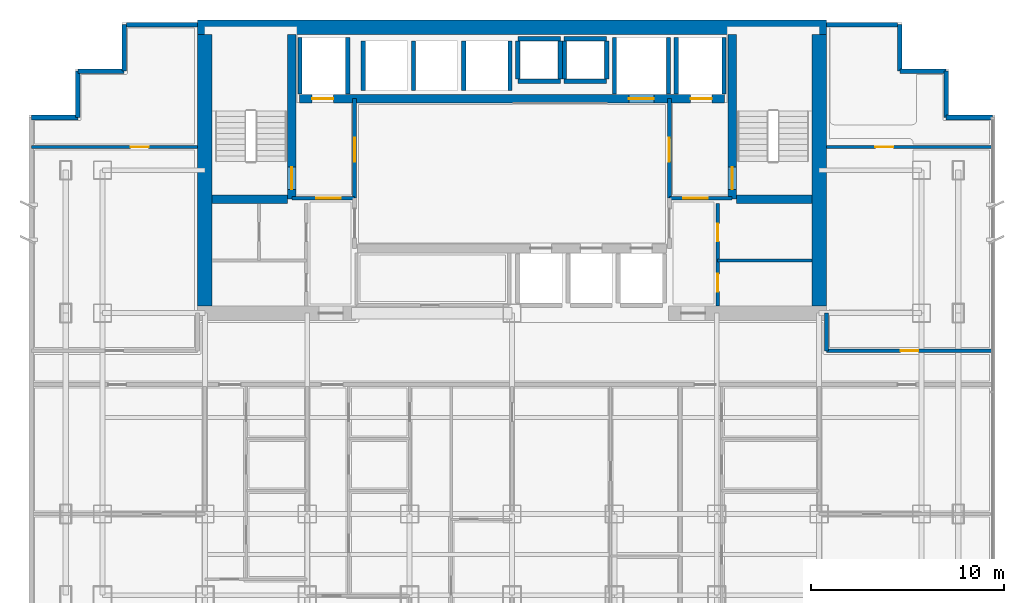
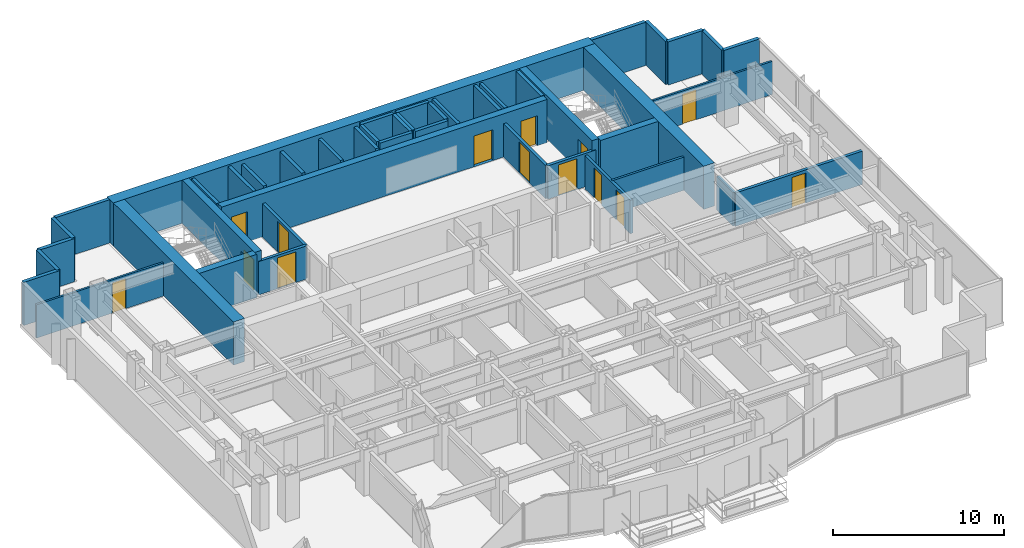
# One storey, part 9 of 12: 46 walls, 14 doors, 14 openings.
"""IFC4 building model written with IfcOpenShell, lengths in metres."""

from ifc_helpers import new_model, si_unit, direction, frame, frame_2d, origin, place, context, subcontext, project, spatial, rectangle, extrude, material, layer, layer_set, type_object, element, fill, save


model = new_model("IFC4")

# Units and contexts
model_context = context("Model", 3, precision=1e-05, world=origin(), true_north=direction((0.0, 1.0)))
body_context = subcontext(model_context, "Body", "Model", "MODEL_VIEW")
ifc_project = project(units=[si_unit("LENGTHUNIT", "METRE"), si_unit("AREAUNIT", "SQUARE_METRE"), si_unit("VOLUMEUNIT", "CUBIC_METRE"), si_unit("PLANEANGLEUNIT", "RADIAN"), si_unit("MASSUNIT", "GRAM", prefix="KILO")], contexts=[model_context])

# Site, building, storey
site_placement = place(None, origin())
site = spatial("IfcSite", under=ifc_project, at=site_placement, CompositionType="ELEMENT")
building_placement = place(site_placement, origin())
building = spatial("IfcBuilding", under=site, at=building_placement, Name="Qianlan Lanfeng Residences", CompositionType="ELEMENT")
storey_placement = place(building_placement, frame((0.0, 0.0, 121.300048828125)))
storey = spatial("IfcBuildingStorey", under=building, at=storey_placement, Name="L33", CompositionType="ELEMENT", Elevation=121.300048828125)

# Wall, opening, door
ifc_material_1 = material(Name="Concrete C60", Category="concrete")
ifc_layer_1 = layer(ifc_material_1, 0.449951171875)
ifc_layer_set_1 = layer_set([ifc_layer_1], Name="Concrete C60")
wall_type_1 = type_object("IfcWallType", Name="CW-RC-450", PredefinedType="SHEAR", material=ifc_layer_set_1)
wall_1_placement = place(storey_placement, frame((15.10009765625, 31.10009765625, 0.0), z_axis=(0.0, 0.0, 1.0), x_axis=(0.0, 1.0, 0.0)))
wall_1 = element("IfcWall", 1, at=wall_1_placement, inside=storey, type_object=wall_type_1, Name="L33 Core Shear Wall ST1E", PredefinedType="SHEAR", context=body_context, shape_type="SweptSolid", body=[
    extrude(rectangle(XDim=8.52490234375, YDim=0.449951171875, at=frame_2d((4.262451171875, 0.0))), origin(), (0.0, 0.0, 1.0), 3.08984375),
])
opening_1_placement = place(wall_1_placement, frame((0.510009765625, 0.0, 0.0)))
opening_1 = element("IfcOpeningElement", 2, at=opening_1_placement, cuts=wall_1, Name="Opening L33-D07", PredefinedType="OPENING", context=body_context, shape_type="SweptSolid", body=[
    extrude(rectangle(XDim=1.14990234375, YDim=2.199951171875, at=frame_2d((0.574951171875, 1.10009765625))), frame((0.0, 0.23486328125, 0.0), z_axis=(0.0, -1.0, 0.0), x_axis=(1.0, 0.0, 0.0)), (0.0, 0.0, 1.0), 0.469970703125),
])
ifc_material_2 = material(Name="Painted Galvanised Steel Fire Door", Category="steel")
door_type_1 = type_object("IfcDoorType", Name="DT-ST1", OperationType="NOTDEFINED", PredefinedType="DOOR", material=ifc_material_2)
door_1_placement = place(opening_1_placement, frame((1.14990234375, 0.0, 0.0), z_axis=(0.0, 0.0, 1.0), x_axis=(-1.0, 0.0, 0.0)))
door_1 = element("IfcDoor", 3, at=door_1_placement, inside=storey, type_object=door_type_1, Name="L33 Exit Stair ST-1 Door L33-D07 (DT-ST1)", OperationType="SINGLE_SWING_RIGHT", OverallHeight=2.199951171875, OverallWidth=1.14990234375, PredefinedType="DOOR", context=body_context, shape_type="SweptSolid", body=[
    extrude(rectangle(XDim=1.14990234375, YDim=2.199951171875, at=frame_2d((0.574951171875, 1.10009765625))), frame((0.0, 0.02490234375, 0.0), z_axis=(0.0, -1.0, 0.0), x_axis=(1.0, 0.0, 0.0)), (0.0, 0.0, 1.0), 0.050048828125),
])
fill(opening_1, door_1)

# Wall
wall_2_placement = place(storey_placement, frame((10.97509765625, 31.10009765625, 0.0), z_axis=(0.0, 0.0, 1.0), x_axis=(1.0, 0.0, 0.0)))
element("IfcWall", 4, at=wall_2_placement, inside=storey, type_object=wall_type_1, Name="L33 Core Shear Wall ST1S", PredefinedType="SHEAR", context=body_context, shape_type="SweptSolid", body=[
    extrude(rectangle(XDim=3.89990234375, YDim=0.449951171875, at=frame_2d((1.949951171875, 0.0))), origin(), (0.0, 0.0, 1.0), 3.08984375),
])

# Wall, opening, door
wall_3_placement = place(storey_placement, frame((37.89990234375, 31.10009765625, 0.0), z_axis=(0.0, 0.0, 1.0), x_axis=(0.0, 1.0, 0.0)))
wall_3 = element("IfcWall", 5, at=wall_3_placement, inside=storey, type_object=wall_type_1, Name="L33 Core Shear Wall ST2W", PredefinedType="SHEAR", context=body_context, shape_type="SweptSolid", body=[
    extrude(rectangle(XDim=8.52490234375, YDim=0.449951171875, at=frame_2d((4.262451171875, 0.0))), origin(), (0.0, 0.0, 1.0), 3.08984375),
])
opening_2_placement = place(wall_3_placement, frame((0.510009765625, 0.0, 0.0)))
opening_2 = element("IfcOpeningElement", 6, at=opening_2_placement, cuts=wall_3, Name="Opening L33-D08", PredefinedType="OPENING", context=body_context, shape_type="SweptSolid", body=[
    extrude(rectangle(XDim=1.14990234375, YDim=2.199951171875, at=frame_2d((0.574951171875, 1.10009765625))), frame((0.0, 0.23486328125, 0.0), z_axis=(0.0, -1.0, 0.0), x_axis=(1.0, 0.0, 0.0)), (0.0, 0.0, 1.0), 0.469970703125),
])
door_2_placement = place(opening_2_placement, origin())
door_2 = element("IfcDoor", 7, at=door_2_placement, inside=storey, type_object=door_type_1, Name="L33 Exit Stair ST-2 Door L33-D08 (DT-ST1)", OperationType="SINGLE_SWING_RIGHT", OverallHeight=2.199951171875, OverallWidth=1.14990234375, PredefinedType="DOOR", context=body_context, shape_type="SweptSolid", body=[
    extrude(rectangle(XDim=1.14990234375, YDim=2.199951171875, at=frame_2d((0.574951171875, 1.10009765625))), frame((0.0, 0.02490234375, 0.0), z_axis=(0.0, -1.0, 0.0), x_axis=(1.0, 0.0, 0.0)), (0.0, 0.0, 1.0), 0.050048828125),
])
fill(opening_2, door_2)

# Wall
wall_4_placement = place(storey_placement, frame((38.125, 31.10009765625, 0.0), z_axis=(0.0, 0.0, 1.0), x_axis=(1.0, 0.0, 0.0)))
element("IfcWall", 8, at=wall_4_placement, inside=storey, type_object=wall_type_1, Name="L33 Core Shear Wall ST2S", PredefinedType="SHEAR", context=body_context, shape_type="SweptSolid", body=[
    extrude(rectangle(XDim=3.89990234375, YDim=0.449951171875, at=frame_2d((1.949951171875, 0.0))), origin(), (0.0, 0.0, 1.0), 3.08984375),
])

# Wall, openings, doors
wall_5_placement = place(storey_placement, frame((15.5, 36.300048828125, 0.0), z_axis=(0.0, 0.0, 1.0), x_axis=(1.0, 0.0, 0.0)))
wall_5 = element("IfcWall", 9, at=wall_5_placement, inside=storey, type_object=wall_type_1, Name="L33 Core Shear Wall LBN", PredefinedType="SHEAR", context=body_context, shape_type="SweptSolid", body=[
    extrude(rectangle(XDim=22.0, YDim=0.449951171875, at=frame_2d((11.0, 0.0))), origin(), (0.0, 0.0, 1.0), 3.08984375),
])
opening_3_placement = place(wall_5_placement, frame((0.64990234375, 0.0, 0.0)))
opening_3 = element("IfcOpeningElement", 10, at=opening_3_placement, cuts=wall_5, Name="Opening L33-LD-FFL-1", PredefinedType="OPENING", context=body_context, shape_type="SweptSolid", body=[
    extrude(rectangle(XDim=1.10009765625, YDim=2.14990234375, at=frame_2d((0.550048828125, 1.074951171875))), frame((0.0, 0.23486328125, 0.0), z_axis=(0.0, -1.0, 0.0), x_axis=(1.0, 0.0, 0.0)), (0.0, 0.0, 1.0), 0.469970703125),
])
opening_4_placement = place(wall_5_placement, frame((20.25, 0.0, 0.0)))
opening_4 = element("IfcOpeningElement", 11, at=opening_4_placement, cuts=wall_5, Name="Opening L33-LD-FFL-2", PredefinedType="OPENING", context=body_context, shape_type="SweptSolid", body=[
    extrude(rectangle(XDim=1.10009765625, YDim=2.14990234375, at=frame_2d((0.550048828125, 1.074951171875))), frame((0.0, 0.23486328125, 0.0), z_axis=(0.0, -1.0, 0.0), x_axis=(1.0, 0.0, 0.0)), (0.0, 0.0, 1.0), 0.469970703125),
])
opening_5_placement = place(wall_5_placement, frame((17.050048828125, 0.0, 0.0)))
opening_5 = element("IfcOpeningElement", 12, at=opening_5_placement, cuts=wall_5, Name="Opening L33-LD-SVL-1", PredefinedType="OPENING", context=body_context, shape_type="SweptSolid", body=[
    extrude(rectangle(XDim=1.300048828125, YDim=2.199951171875, at=frame_2d((0.64990234375, 1.10009765625))), frame((0.0, 0.23486328125, 0.0), z_axis=(0.0, -1.0, 0.0), x_axis=(1.0, 0.0, 0.0)), (0.0, 0.0, 1.0), 0.469970703125),
])
ifc_material_3 = material(Name="Brushed Stainless Steel Sliding Lift Door", Category="steel")
door_type_2 = type_object("IfcDoorType", Name="LD-01", OperationType="NOTDEFINED", PredefinedType="DOOR", material=ifc_material_3)
door_3_placement = place(opening_3_placement, frame((1.10009765625, 0.0, 0.0), z_axis=(0.0, 0.0, 1.0), x_axis=(-1.0, 0.0, 0.0)))
door_3 = element("IfcDoor", 13, at=door_3_placement, inside=storey, type_object=door_type_2, Name="L33 Elevator FFL-1 Sliding Landing Door", OperationType="DOUBLE_DOOR_SLIDING", OverallHeight=2.14990234375, OverallWidth=1.10009765625, PredefinedType="DOOR", context=body_context, shape_type="SweptSolid", body=[
    extrude(rectangle(XDim=1.10009765625, YDim=2.14990234375, at=frame_2d((0.550048828125, 1.074951171875))), frame((0.0, 0.02490234375, 0.0), z_axis=(0.0, -1.0, 0.0), x_axis=(1.0, 0.0, 0.0)), (0.0, 0.0, 1.0), 0.050048828125),
])
fill(opening_3, door_3)
door_4_placement = place(opening_4_placement, frame((1.10009765625, 0.0, 0.0), z_axis=(0.0, 0.0, 1.0), x_axis=(-1.0, 0.0, 0.0)))
door_4 = element("IfcDoor", 14, at=door_4_placement, inside=storey, type_object=door_type_2, Name="L33 Elevator FFL-2 Sliding Landing Door", OperationType="DOUBLE_DOOR_SLIDING", OverallHeight=2.14990234375, OverallWidth=1.10009765625, PredefinedType="DOOR", context=body_context, shape_type="SweptSolid", body=[
    extrude(rectangle(XDim=1.10009765625, YDim=2.14990234375, at=frame_2d((0.550048828125, 1.074951171875))), frame((0.0, 0.02490234375, 0.0), z_axis=(0.0, -1.0, 0.0), x_axis=(1.0, 0.0, 0.0)), (0.0, 0.0, 1.0), 0.050048828125),
])
fill(opening_4, door_4)
door_type_3 = type_object("IfcDoorType", Name="LD-02", OperationType="NOTDEFINED", PredefinedType="DOOR", material=ifc_material_3)
door_5_placement = place(opening_5_placement, frame((1.300048828125, 0.0, 0.0), z_axis=(0.0, 0.0, 1.0), x_axis=(-1.0, 0.0, 0.0)))
door_5 = element("IfcDoor", 15, at=door_5_placement, inside=storey, type_object=door_type_3, Name="L33 Elevator SVL-1 Sliding Landing Door", OperationType="DOUBLE_DOOR_SLIDING", OverallHeight=2.199951171875, OverallWidth=1.300048828125, PredefinedType="DOOR", context=body_context, shape_type="SweptSolid", body=[
    extrude(rectangle(XDim=1.300048828125, YDim=2.199951171875, at=frame_2d((0.64990234375, 1.10009765625))), frame((0.0, 0.02490234375, 0.0), z_axis=(0.0, -1.0, 0.0), x_axis=(1.0, 0.0, 0.0)), (0.0, 0.0, 1.0), 0.050048828125),
])
fill(opening_5, door_5)

# Walls
ifc_layer_2 = layer(ifc_material_1, 0.75)
ifc_layer_set_2 = layer_set([ifc_layer_2], Name="Concrete C60")
wall_type_2 = type_object("IfcWallType", Name="CW-RC-750", PredefinedType="SHEAR", material=ifc_layer_set_2)
wall_6_placement = place(storey_placement, frame((10.22509765625, 40.0, 0.0), z_axis=(0.0, 0.0, 1.0), x_axis=(1.0, 0.0, 0.0)))
element("IfcWall", 16, at=wall_6_placement, inside=storey, type_object=wall_type_2, Name="L33 Core Shear Wall N", PredefinedType="SHEAR", context=body_context, shape_type="SweptSolid", body=[
    extrude(rectangle(XDim=32.5498046875, YDim=0.75, at=frame_2d((16.27490234375, 0.0))), origin(), (0.0, 0.0, 1.0), 3.08984375),
])
for number, where, z_axis, x_axis, name in (
    (17, (10.60009765625, 25.574951171875, 0.0), (0.0, 0.0, 1.0), (0.0, 1.0, 0.0), "L33 Core Shear Wall W"),
    (18, (42.39990234375, 25.574951171875, 0.0), (0.0, 0.0, 1.0), (0.0, 1.0, 0.0), "L33 Core Shear Wall E"),
):
    element("IfcWall", number, at=place(storey_placement, frame(where, z_axis=z_axis, x_axis=x_axis)), inside=storey, type_object=wall_type_2, Name=name, PredefinedType="SHEAR", context=body_context, shape_type="SweptSolid", body=[
        extrude(rectangle(XDim=14.050048828125, YDim=0.75, at=frame_2d((7.02490234375, 0.0))), origin(), (0.0, 0.0, 1.0), 3.08984375),
    ])
ifc_material_4 = material(Name="Concrete C42", Category="concrete")
ifc_layer_3 = layer(ifc_material_4, 0.239990234375)
ifc_layer_set_3 = layer_set([ifc_layer_3], Name="Concrete C42")
wall_type_3 = type_object("IfcWallType", Name="EW-240", PredefinedType="SOLIDWALL", material=ifc_layer_set_3)
for number, where, z_axis, x_axis, name in (
    (19, (51.3798828125, 35.330078125, 0.0), (0.0, 0.0, 1.0), (-1.0, 0.0, 0.0), "L33 Exterior Facade Spandrel Wall 11"),
    (20, (48.97998046875, 35.330078125, 0.0), (0.0, 0.0, 1.0), (0.0, 1.0, 0.0), "L33 Exterior Facade Spandrel Wall 12"),
    (21, (48.97998046875, 37.72998046875, 0.0), (0.0, 0.0, 1.0), (-1.0, 0.0, 0.0), "L33 Exterior Facade Spandrel Wall 13"),
    (22, (46.580078125, 37.72998046875, 0.0), (0.0, 0.0, 1.0), (0.0, 1.0, 0.0), "L33 Exterior Facade Spandrel Wall 14"),
):
    element("IfcWall", number, at=place(storey_placement, frame(where, z_axis=z_axis, x_axis=x_axis)), inside=storey, type_object=wall_type_3, Name=name, PredefinedType="SOLIDWALL", context=body_context, shape_type="SweptSolid", body=[
        extrude(rectangle(XDim=2.39990234375, YDim=0.239990234375, at=frame_2d((1.199951171875, 0.0))), origin(), (0.0, 0.0, 1.0), 3.08984375),
    ])
for number, where, z_axis, x_axis, name in (
    (23, (46.449951171875, 40.1298828125, 0.0), (0.0, 0.0, 1.0), (-1.0, 0.0, 0.0), "L33 North Wing Exterior Wall E"),
    (24, (10.22509765625, 40.1298828125, 0.0), (0.0, 0.0, 1.0), (-1.0, 0.0, 0.0), "L33 North Wing Exterior Wall W"),
):
    element("IfcWall", number, at=place(storey_placement, frame(where, z_axis=z_axis, x_axis=x_axis)), inside=storey, type_object=wall_type_3, Name=name, PredefinedType="SOLIDWALL", context=body_context, shape_type="SweptSolid", body=[
        extrude(rectangle(XDim=3.675048828125, YDim=0.239990234375, at=frame_2d((1.83740234375, 0.0))), origin(), (0.0, 0.0, 1.0), 3.08984375),
    ])
for number, where, z_axis, x_axis, name in (
    (25, (6.419921875, 40.1298828125, 0.0), (0.0, 0.0, 1.0), (0.0, -1.0, 0.0), "L33 Exterior Facade Spandrel Wall 17"),
    (26, (6.419921875, 37.72998046875, 0.0), (0.0, 0.0, 1.0), (-1.0, 0.0, 0.0), "L33 Exterior Facade Spandrel Wall 18"),
    (27, (4.02001953125, 37.72998046875, 0.0), (0.0, 0.0, 1.0), (0.0, -1.0, 0.0), "L33 Exterior Facade Spandrel Wall 19"),
    (28, (4.02001953125, 35.330078125, 0.0), (0.0, 0.0, 1.0), (-1.0, 0.0, 0.0), "L33 Exterior Facade Spandrel Wall 20"),
):
    element("IfcWall", number, at=place(storey_placement, frame(where, z_axis=z_axis, x_axis=x_axis)), inside=storey, type_object=wall_type_3, Name=name, PredefinedType="SOLIDWALL", context=body_context, shape_type="SweptSolid", body=[
        extrude(rectangle(XDim=2.39990234375, YDim=0.239990234375, at=frame_2d((1.199951171875, 0.0))), origin(), (0.0, 0.0, 1.0), 3.08984375),
    ])

# Wall, opening, door
ifc_material_5 = material(Name="Moisture-Resistant Gypsum Partition 135 mm")
ifc_layer_4 = layer(ifc_material_5, 0.135009765625)
ifc_layer_set_4 = layer_set([ifc_layer_4], Name="Moisture-Resistant Gypsum Partition 135 mm")
wall_type_4 = type_object("IfcWallType", Name="PW-135", PredefinedType="PARTITIONING", material=ifc_layer_set_4)
wall_7_placement = place(storey_placement, frame((1.6201171875, 33.800048828125, 0.0), z_axis=(0.0, 0.0, 1.0), x_axis=(1.0, 0.0, 0.0)))
wall_7 = element("IfcWall", 29, at=wall_7_placement, inside=storey, type_object=wall_type_4, Name="L33 WW North Wing Wall", PredefinedType="PARTITIONING", context=body_context, shape_type="SweptSolid", body=[
    extrude(rectangle(XDim=8.60498046875, YDim=0.135009765625, at=frame_2d((4.302490234375, 0.0))), origin(), (0.0, 0.0, 1.0), 2.3798828125),
])
opening_6_placement = place(wall_7_placement, frame((5.14306640625, 0.0, 0.0)))
opening_6 = element("IfcOpeningElement", 30, at=opening_6_placement, cuts=wall_7, Name="Opening L33-D45", PredefinedType="OPENING", context=body_context, shape_type="SweptSolid", body=[
    extrude(rectangle(XDim=0.919921875, YDim=2.14990234375, at=frame_2d((0.4599609375, 1.074951171875))), frame((0.0, 0.07763671875, 0.0), z_axis=(0.0, -1.0, 0.0), x_axis=(1.0, 0.0, 0.0)), (0.0, 0.0, 1.0), 0.155029296875),
])
ifc_material_6 = material(Name="Glazed Timber Kitchen/Study Door", Category="wood")
door_type_4 = type_object("IfcDoorType", Name="DT-INT", OperationType="NOTDEFINED", PredefinedType="DOOR", material=ifc_material_6)
door_6_placement = place(opening_6_placement, origin())
door_6 = element("IfcDoor", 31, at=door_6_placement, inside=storey, type_object=door_type_4, Name="L33 WW Inner Salon Door L33-D45 (DT-INT)", OperationType="SINGLE_SWING_RIGHT", OverallHeight=2.14990234375, OverallWidth=0.919921875, PredefinedType="DOOR", context=body_context, shape_type="SweptSolid", body=[
    extrude(rectangle(XDim=0.919921875, YDim=2.14990234375, at=frame_2d((0.4599609375, 1.074951171875))), frame((0.0, 0.02490234375, 0.0), z_axis=(0.0, -1.0, 0.0), x_axis=(1.0, 0.0, 0.0)), (0.0, 0.0, 1.0), 0.050048828125),
])
fill(opening_6, door_6)

wall_8_placement = place(storey_placement, frame((42.77490234375, 33.800048828125, 0.0), z_axis=(0.0, 0.0, 1.0), x_axis=(1.0, 0.0, 0.0)))
wall_8 = element("IfcWall", 32, at=wall_8_placement, inside=storey, type_object=wall_type_4, Name="L33 EW North Wing Wall", PredefinedType="PARTITIONING", context=body_context, shape_type="SweptSolid", body=[
    extrude(rectangle(XDim=8.60498046875, YDim=0.135009765625, at=frame_2d((4.302490234375, 0.0))), origin(), (0.0, 0.0, 1.0), 2.3798828125),
])
opening_7_placement = place(wall_8_placement, frame((2.5419921875, 0.0, 0.0)))
opening_7 = element("IfcOpeningElement", 33, at=opening_7_placement, cuts=wall_8, Name="Opening L33-D47", PredefinedType="OPENING", context=body_context, shape_type="SweptSolid", body=[
    extrude(rectangle(XDim=0.919921875, YDim=2.14990234375, at=frame_2d((0.4599609375, 1.074951171875))), frame((0.0, 0.07763671875, 0.0), z_axis=(0.0, -1.0, 0.0), x_axis=(1.0, 0.0, 0.0)), (0.0, 0.0, 1.0), 0.155029296875),
])
door_7_placement = place(opening_7_placement, origin())
door_7 = element("IfcDoor", 34, at=door_7_placement, inside=storey, type_object=door_type_4, Name="L33 EW Inner Salon Door L33-D47 (DT-INT)", OperationType="SINGLE_SWING_RIGHT", OverallHeight=2.14990234375, OverallWidth=0.919921875, PredefinedType="DOOR", context=body_context, shape_type="SweptSolid", body=[
    extrude(rectangle(XDim=0.919921875, YDim=2.14990234375, at=frame_2d((0.4599609375, 1.074951171875))), frame((0.0, 0.02490234375, 0.0), z_axis=(0.0, -1.0, 0.0), x_axis=(1.0, 0.0, 0.0)), (0.0, 0.0, 1.0), 0.050048828125),
])
fill(opening_7, door_7)

# Wall
ifc_material_7 = material(Name="Acoustic Drywall Partition 150 mm")
ifc_layer_5 = layer(ifc_material_7, 0.14990234375)
ifc_layer_set_5 = layer_set([ifc_layer_5], Name="Acoustic Drywall Partition 150 mm")
wall_type_5 = type_object("IfcWallType", Name="PW-150", PredefinedType="PARTITIONING", material=ifc_layer_set_5)
wall_9_placement = place(storey_placement, frame((37.14990234375, 27.925048828125, 0.0), z_axis=(0.0, 0.0, 1.0), x_axis=(1.0, 0.0, 0.0)))
element("IfcWall", 35, at=wall_9_placement, inside=storey, type_object=wall_type_5, Name="L33 Core East H4", PredefinedType="PARTITIONING", context=body_context, shape_type="SweptSolid", body=[
    extrude(rectangle(XDim=4.875, YDim=0.14990234375, at=frame_2d((2.4375, 0.0))), origin(), (0.0, 0.0, 1.0), 2.3798828125),
])

# Wall, openings, doors
ifc_material_8 = material(Name="Double-Layer Acoustic Gypsum Stud Wall 180 mm")
ifc_layer_6 = layer(ifc_material_8, 0.179931640625)
ifc_layer_set_6 = layer_set([ifc_layer_6], Name="Double-Layer Acoustic Gypsum Stud Wall 180 mm")
wall_type_6 = type_object("IfcWallType", Name="PW-180", PredefinedType="PARTITIONING", material=ifc_layer_set_6)
wall_10_placement = place(storey_placement, frame((37.14990234375, 25.574951171875, 0.0), z_axis=(0.0, 0.0, 1.0), x_axis=(0.0, 1.0, 0.0)))
wall_10 = element("IfcWall", 36, at=wall_10_placement, inside=storey, type_object=wall_type_6, Name="L33 Core East Service Room Wall", PredefinedType="PARTITIONING", context=body_context, shape_type="SweptSolid", body=[
    extrude(rectangle(XDim=5.300048828125, YDim=0.179931640625, at=frame_2d((2.64990234375, 0.0))), origin(), (0.0, 0.0, 1.0), 2.3798828125),
])
opening_8_placement = place(wall_10_placement, frame((0.739990234375, 0.0, 0.0)))
opening_8 = element("IfcOpeningElement", 37, at=opening_8_placement, cuts=wall_10, Name="Opening L33-D12", PredefinedType="OPENING", context=body_context, shape_type="SweptSolid", body=[
    extrude(rectangle(XDim=0.919921875, YDim=2.14990234375, at=frame_2d((0.4599609375, 1.074951171875))), frame((0.0, 0.10009765625, 0.0), z_axis=(0.0, -1.0, 0.0), x_axis=(1.0, 0.0, 0.0)), (0.0, 0.0, 1.0), 0.199951171875),
])
opening_9_placement = place(wall_10_placement, frame((3.340087890625, 0.0, 0.0)))
opening_9 = element("IfcOpeningElement", 38, at=opening_9_placement, cuts=wall_10, Name="Opening L33-D13", PredefinedType="OPENING", context=body_context, shape_type="SweptSolid", body=[
    extrude(rectangle(XDim=0.919921875, YDim=2.14990234375, at=frame_2d((0.4599609375, 1.074951171875))), frame((0.0, 0.10009765625, 0.0), z_axis=(0.0, -1.0, 0.0), x_axis=(1.0, 0.0, 0.0)), (0.0, 0.0, 1.0), 0.199951171875),
])
door_8_placement = place(opening_8_placement, origin())
door_8 = element("IfcDoor", 39, at=door_8_placement, inside=storey, type_object=door_type_4, Name="L33 Mail Closet Door L33-D12 (DT-INT)", OperationType="SINGLE_SWING_LEFT", OverallHeight=2.14990234375, OverallWidth=0.919921875, PredefinedType="DOOR", context=body_context, shape_type="SweptSolid", body=[
    extrude(rectangle(XDim=0.919921875, YDim=2.14990234375, at=frame_2d((0.4599609375, 1.074951171875))), frame((0.0, 0.02490234375, 0.0), z_axis=(0.0, -1.0, 0.0), x_axis=(1.0, 0.0, 0.0)), (0.0, 0.0, 1.0), 0.050048828125),
])
fill(opening_8, door_8)
door_9_placement = place(opening_9_placement, origin())
door_9 = element("IfcDoor", 40, at=door_9_placement, inside=storey, type_object=door_type_4, Name="L33 Refuse Closet Door L33-D13 (DT-INT)", OperationType="SINGLE_SWING_RIGHT", OverallHeight=2.14990234375, OverallWidth=0.919921875, PredefinedType="DOOR", context=body_context, shape_type="SweptSolid", body=[
    extrude(rectangle(XDim=0.919921875, YDim=2.14990234375, at=frame_2d((0.4599609375, 1.074951171875))), frame((0.0, 0.02490234375, 0.0), z_axis=(0.0, -1.0, 0.0), x_axis=(1.0, 0.0, 0.0)), (0.0, 0.0, 1.0), 0.050048828125),
])
fill(opening_9, door_9)

# Wall, opening, door
ifc_material_9 = material(Name="Autoclaved Aerated Concrete Blockwork 200 mm", Category="masonry")
ifc_layer_7 = layer(ifc_material_9, 0.199951171875)
ifc_layer_set_7 = layer_set([ifc_layer_7], Name="Autoclaved Aerated Concrete Blockwork 200 mm")
wall_type_7 = type_object("IfcWallType", Name="PW-200", PredefinedType="PARTITIONING", material=ifc_layer_set_7)
wall_11_placement = place(storey_placement, frame((15.10009765625, 31.14990234375, 0.0), z_axis=(0.0, 0.0, 1.0), x_axis=(1.0, 0.0, 0.0)))
wall_11 = element("IfcWall", 41, at=wall_11_placement, inside=storey, type_object=wall_type_7, Name="L33 Firefighting Lobby 1 South Wall", PredefinedType="PARTITIONING", context=body_context, shape_type="SweptSolid", body=[
    extrude(rectangle(XDim=3.25, YDim=0.199951171875, at=frame_2d((1.625, 0.0))), origin(), (0.0, 0.0, 1.0), 2.3798828125),
])
opening_10_placement = place(wall_11_placement, frame((1.27490234375, 0.0, 0.0)))
opening_10 = element("IfcOpeningElement", 42, at=opening_10_placement, cuts=wall_11, Name="Opening L33-D03", PredefinedType="OPENING", context=body_context, shape_type="SweptSolid", body=[
    extrude(rectangle(XDim=1.25, YDim=2.199951171875, at=frame_2d((0.625, 1.10009765625))), frame((0.0, 0.10986328125, 0.0), z_axis=(0.0, -1.0, 0.0), x_axis=(1.0, 0.0, 0.0)), (0.0, 0.0, 1.0), 0.219970703125),
])
door_type_5 = type_object("IfcDoorType", Name="DT-FFL", OperationType="NOTDEFINED", PredefinedType="DOOR", material=ifc_material_2)
door_10_placement = place(opening_10_placement, origin())
door_10 = element("IfcDoor", 43, at=door_10_placement, inside=storey, type_object=door_type_5, Name="L33 Firefighting Lobby 1 Entry Door L33-D03 (DT-FFL)", OperationType="SINGLE_SWING_LEFT", OverallHeight=2.199951171875, OverallWidth=1.25, PredefinedType="DOOR", context=body_context, shape_type="SweptSolid", body=[
    extrude(rectangle(XDim=1.25, YDim=2.199951171875, at=frame_2d((0.625, 1.10009765625))), frame((0.0, 0.02490234375, 0.0), z_axis=(0.0, -1.0, 0.0), x_axis=(1.0, 0.0, 0.0)), (0.0, 0.0, 1.0), 0.050048828125),
])
fill(opening_10, door_10)

wall_12_placement = place(storey_placement, frame((18.35009765625, 31.14990234375, 0.0), z_axis=(0.0, 0.0, 1.0), x_axis=(0.0, 1.0, 0.0)))
wall_12 = element("IfcWall", 44, at=wall_12_placement, inside=storey, type_object=wall_type_7, Name="L33 Firefighting Lobby 1 East Wall", PredefinedType="PARTITIONING", context=body_context, shape_type="SweptSolid", body=[
    extrude(rectangle(XDim=5.150146484375, YDim=0.199951171875, at=frame_2d((2.5751953125, 0.0))), origin(), (0.0, 0.0, 1.0), 2.3798828125),
])
opening_11_placement = place(wall_12_placement, frame((1.875, 0.0, 0.0)))
opening_11 = element("IfcOpeningElement", 45, at=opening_11_placement, cuts=wall_12, Name="Opening L33-D04", PredefinedType="OPENING", context=body_context, shape_type="SweptSolid", body=[
    extrude(rectangle(XDim=1.25, YDim=2.199951171875, at=frame_2d((0.625, 1.10009765625))), frame((0.0, 0.10986328125, 0.0), z_axis=(0.0, -1.0, 0.0), x_axis=(1.0, 0.0, 0.0)), (0.0, 0.0, 1.0), 0.219970703125),
])
door_11_placement = place(opening_11_placement, origin())
door_11 = element("IfcDoor", 46, at=door_11_placement, inside=storey, type_object=door_type_5, Name="L33 Firefighting Lobby 1 Lift Lobby Door L33-D04 (DT-FFL)", OperationType="SINGLE_SWING_LEFT", OverallHeight=2.199951171875, OverallWidth=1.25, PredefinedType="DOOR", context=body_context, shape_type="SweptSolid", body=[
    extrude(rectangle(XDim=1.25, YDim=2.199951171875, at=frame_2d((0.625, 1.10009765625))), frame((0.0, 0.02490234375, 0.0), z_axis=(0.0, -1.0, 0.0), x_axis=(1.0, 0.0, 0.0)), (0.0, 0.0, 1.0), 0.050048828125),
])
fill(opening_11, door_11)

wall_13_placement = place(storey_placement, frame((34.64990234375, 31.14990234375, 0.0), z_axis=(0.0, 0.0, 1.0), x_axis=(1.0, 0.0, 0.0)))
wall_13 = element("IfcWall", 47, at=wall_13_placement, inside=storey, type_object=wall_type_7, Name="L33 Firefighting Lobby 2 South Wall", PredefinedType="PARTITIONING", context=body_context, shape_type="SweptSolid", body=[
    extrude(rectangle(XDim=3.25, YDim=0.199951171875, at=frame_2d((1.625, 0.0))), origin(), (0.0, 0.0, 1.0), 2.3798828125),
])
opening_12_placement = place(wall_13_placement, frame((0.72509765625, 0.0, 0.0)))
opening_12 = element("IfcOpeningElement", 48, at=opening_12_placement, cuts=wall_13, Name="Opening L33-D05", PredefinedType="OPENING", context=body_context, shape_type="SweptSolid", body=[
    extrude(rectangle(XDim=1.25, YDim=2.199951171875, at=frame_2d((0.625, 1.10009765625))), frame((0.0, 0.10986328125, 0.0), z_axis=(0.0, -1.0, 0.0), x_axis=(1.0, 0.0, 0.0)), (0.0, 0.0, 1.0), 0.219970703125),
])
door_12_placement = place(opening_12_placement, origin())
door_12 = element("IfcDoor", 49, at=door_12_placement, inside=storey, type_object=door_type_5, Name="L33 Firefighting Lobby 2 Entry Door L33-D05 (DT-FFL)", OperationType="SINGLE_SWING_RIGHT", OverallHeight=2.199951171875, OverallWidth=1.25, PredefinedType="DOOR", context=body_context, shape_type="SweptSolid", body=[
    extrude(rectangle(XDim=1.25, YDim=2.199951171875, at=frame_2d((0.625, 1.10009765625))), frame((0.0, 0.02490234375, 0.0), z_axis=(0.0, -1.0, 0.0), x_axis=(1.0, 0.0, 0.0)), (0.0, 0.0, 1.0), 0.050048828125),
])
fill(opening_12, door_12)

wall_14_placement = place(storey_placement, frame((34.64990234375, 31.14990234375, 0.0), z_axis=(0.0, 0.0, 1.0), x_axis=(0.0, 1.0, 0.0)))
wall_14 = element("IfcWall", 50, at=wall_14_placement, inside=storey, type_object=wall_type_7, Name="L33 Firefighting Lobby 2 West Wall", PredefinedType="PARTITIONING", context=body_context, shape_type="SweptSolid", body=[
    extrude(rectangle(XDim=5.150146484375, YDim=0.199951171875, at=frame_2d((2.5751953125, 0.0))), origin(), (0.0, 0.0, 1.0), 2.3798828125),
])
opening_13_placement = place(wall_14_placement, frame((1.875, 0.0, 0.0)))
opening_13 = element("IfcOpeningElement", 51, at=opening_13_placement, cuts=wall_14, Name="Opening L33-D06", PredefinedType="OPENING", context=body_context, shape_type="SweptSolid", body=[
    extrude(rectangle(XDim=1.25, YDim=2.199951171875, at=frame_2d((0.625, 1.10009765625))), frame((0.0, 0.10986328125, 0.0), z_axis=(0.0, -1.0, 0.0), x_axis=(1.0, 0.0, 0.0)), (0.0, 0.0, 1.0), 0.219970703125),
])
door_13_placement = place(opening_13_placement, origin())
door_13 = element("IfcDoor", 52, at=door_13_placement, inside=storey, type_object=door_type_5, Name="L33 Firefighting Lobby 2 Lift Lobby Door L33-D06 (DT-FFL)", OperationType="SINGLE_SWING_LEFT", OverallHeight=2.199951171875, OverallWidth=1.25, PredefinedType="DOOR", context=body_context, shape_type="SweptSolid", body=[
    extrude(rectangle(XDim=1.25, YDim=2.199951171875, at=frame_2d((0.625, 1.10009765625))), frame((0.0, 0.02490234375, 0.0), z_axis=(0.0, -1.0, 0.0), x_axis=(1.0, 0.0, 0.0)), (0.0, 0.0, 1.0), 0.050048828125),
])
fill(opening_13, door_13)

wall_15_placement = place(storey_placement, frame((42.77490234375, 23.25, 0.0), z_axis=(0.0, 0.0, 1.0), x_axis=(1.0, 0.0, 0.0)))
wall_15 = element("IfcWall", 53, at=wall_15_placement, inside=storey, type_object=wall_type_7, Name="L33 Corridor NE Wall", PredefinedType="PARTITIONING", context=body_context, shape_type="SweptSolid", body=[
    extrude(rectangle(XDim=8.60498046875, YDim=0.199951171875, at=frame_2d((4.302490234375, 0.0))), origin(), (0.0, 0.0, 1.0), 2.3798828125),
])
opening_14_placement = place(wall_15_placement, frame((3.842041015625, 0.0, 0.0)))
opening_14 = element("IfcOpeningElement", 54, at=opening_14_placement, cuts=wall_15, Name="Opening L33-D48", PredefinedType="OPENING", context=body_context, shape_type="SweptSolid", body=[
    extrude(rectangle(XDim=0.919921875, YDim=2.14990234375, at=frame_2d((0.4599609375, 1.074951171875))), frame((0.0, 0.10986328125, 0.0), z_axis=(0.0, -1.0, 0.0), x_axis=(1.0, 0.0, 0.0)), (0.0, 0.0, 1.0), 0.219970703125),
])
door_14_placement = place(opening_14_placement, origin())
door_14 = element("IfcDoor", 55, at=door_14_placement, inside=storey, type_object=door_type_4, Name="L33 EW Amenity Salon Door L33-D48 (DT-INT)", OperationType="SINGLE_SWING_LEFT", OverallHeight=2.14990234375, OverallWidth=0.919921875, PredefinedType="DOOR", context=body_context, shape_type="SweptSolid", body=[
    extrude(rectangle(XDim=0.919921875, YDim=2.14990234375, at=frame_2d((0.4599609375, 1.074951171875))), frame((0.0, 0.02490234375, 0.0), z_axis=(0.0, -1.0, 0.0), x_axis=(1.0, 0.0, 0.0)), (0.0, 0.0, 1.0), 0.050048828125),
])
fill(opening_14, door_14)

# Walls
wall_16_placement = place(storey_placement, frame((42.77490234375, 23.25, 0.0), z_axis=(0.0, 0.0, 1.0), x_axis=(0.0, 1.0, 0.0)))
element("IfcWall", 56, at=wall_16_placement, inside=storey, type_object=wall_type_7, Name="L33 NE Wing Core Return Wall", PredefinedType="PARTITIONING", context=body_context, shape_type="SweptSolid", body=[
    extrude(rectangle(XDim=1.949951171875, YDim=0.199951171875, at=frame_2d((0.97509765625, 0.0))), origin(), (0.0, 0.0, 1.0), 2.3798828125),
])
ifc_material_10 = material(Name="Concrete C49", Category="concrete")
ifc_layer_8 = layer(ifc_material_10, 0.219970703125)
ifc_layer_set_8 = layer_set([ifc_layer_8], Name="Concrete C49")
wall_type_8 = type_object("IfcWallType", Name="SHW-220", PredefinedType="SOLIDWALL", material=ifc_layer_set_8)
for number, where, z_axis, x_axis, name in (
    (57, (15.52001953125, 36.550048828125, 0.0), (0.0, 0.0, 1.0), (0.0, 1.0, 0.0), "L33 Lift FFL-1 Shaft Wall W"),
    (58, (18.0, 36.550048828125, 0.0), (0.0, 0.0, 1.0), (0.0, 1.0, 0.0), "L33 Lift FFL-1 Shaft Wall E"),
    (59, (35.0, 36.550048828125, 0.0), (0.0, 0.0, 1.0), (0.0, 1.0, 0.0), "L33 Lift FFL-2 Shaft Wall W"),
    (60, (37.47998046875, 36.550048828125, 0.0), (0.0, 0.0, 1.0), (0.0, 1.0, 0.0), "L33 Lift FFL-2 Shaft Wall E"),
    (61, (31.800048828125, 36.550048828125, 0.0), (0.0, 0.0, 1.0), (0.0, 1.0, 0.0), "L33 Lift SVL-1 Shaft Wall W"),
    (62, (34.60009765625, 36.550048828125, 0.0), (0.0, 0.0, 1.0), (0.0, 1.0, 0.0), "L33 Lift SVL-1 Shaft Wall E"),
):
    element("IfcWall", number, at=place(storey_placement, frame(where, z_axis=z_axis, x_axis=x_axis)), inside=storey, type_object=wall_type_8, Name=name, PredefinedType="SOLIDWALL", context=body_context, shape_type="SweptSolid", body=[
        extrude(rectangle(XDim=2.929931640625, YDim=0.219970703125, at=frame_2d((1.46484375, 0.0))), origin(), (0.0, 0.0, 1.0), 3.08984375),
    ])
for number, where, z_axis, x_axis, name in (
    (63, (18.800048828125, 36.719970703125, 0.0), (0.0, 0.0, 1.0), (0.0, 1.0, 0.0), "L33 Lift PL-H1 Shaft Wall W"),
    (64, (21.39990234375, 36.719970703125, 0.0), (0.0, 0.0, 1.0), (0.0, 1.0, 0.0), "L33 Lift PL-H2 Shaft Wall W"),
    (65, (24.0, 36.719970703125, 0.0), (0.0, 0.0, 1.0), (0.0, 1.0, 0.0), "L33 Lift PL-H3 Shaft Wall W"),
    (66, (26.39990234375, 36.719970703125, 0.0), (0.0, 0.0, 1.0), (0.0, 1.0, 0.0), "L33 Lift PL-H3 Shaft Wall E"),
):
    element("IfcWall", number, at=place(storey_placement, frame(where, z_axis=z_axis, x_axis=x_axis)), inside=storey, type_object=wall_type_8, Name=name, PredefinedType="SOLIDWALL", context=body_context, shape_type="SweptSolid", body=[
        extrude(rectangle(XDim=2.56005859375, YDim=0.219970703125, at=frame_2d((1.280029296875, 0.0))), origin(), (0.0, 0.0, 1.0), 3.08984375),
    ])
for number, where, z_axis, x_axis, name in (
    (67, (26.800048828125, 37.31005859375, 0.0), (0.0, 0.0, 1.0), (0.0, 1.0, 0.0), "L33 MEP Riser MEP-R1 Shaft Wall W"),
    (68, (29.0, 37.31005859375, 0.0), (0.0, 0.0, 1.0), (0.0, 1.0, 0.0), "L33 MEP Riser MEP-R1 Shaft Wall E"),
):
    element("IfcWall", number, at=place(storey_placement, frame(where, z_axis=z_axis, x_axis=x_axis)), inside=storey, type_object=wall_type_8, Name=name, PredefinedType="SOLIDWALL", context=body_context, shape_type="SweptSolid", body=[
        extrude(rectangle(XDim=1.97998046875, YDim=0.219970703125, at=frame_2d((0.989990234375, 0.0))), origin(), (0.0, 0.0, 1.0), 3.08984375),
    ])
for number, where, z_axis, x_axis, name in (
    (69, (26.800048828125, 39.39990234375, 0.0), (0.0, 0.0, 1.0), (1.0, 0.0, 0.0), "L33 MEP Riser MEP-R1 Shaft Wall N"),
    (70, (26.800048828125, 37.199951171875, 0.0), (0.0, 0.0, 1.0), (1.0, 0.0, 0.0), "L33 MEP Riser MEP-R1 Shaft Wall S"),
):
    element("IfcWall", number, at=place(storey_placement, frame(where, z_axis=z_axis, x_axis=x_axis)), inside=storey, type_object=wall_type_8, Name=name, PredefinedType="SOLIDWALL", context=body_context, shape_type="SweptSolid", body=[
        extrude(rectangle(XDim=2.199951171875, YDim=0.219970703125, at=frame_2d((1.10009765625, 0.0))), origin(), (0.0, 0.0, 1.0), 3.08984375),
    ])
for number, where, z_axis, x_axis, name in (
    (71, (29.199951171875, 37.31005859375, 0.0), (0.0, 0.0, 1.0), (0.0, 1.0, 0.0), "L33 MEP Riser MEP-R2 Shaft Wall W"),
    (72, (31.39990234375, 37.31005859375, 0.0), (0.0, 0.0, 1.0), (0.0, 1.0, 0.0), "L33 MEP Riser MEP-R2 Shaft Wall E"),
):
    element("IfcWall", number, at=place(storey_placement, frame(where, z_axis=z_axis, x_axis=x_axis)), inside=storey, type_object=wall_type_8, Name=name, PredefinedType="SOLIDWALL", context=body_context, shape_type="SweptSolid", body=[
        extrude(rectangle(XDim=1.97998046875, YDim=0.219970703125, at=frame_2d((0.989990234375, 0.0))), origin(), (0.0, 0.0, 1.0), 3.08984375),
    ])
for number, where, z_axis, x_axis, name in (
    (73, (29.199951171875, 39.39990234375, 0.0), (0.0, 0.0, 1.0), (1.0, 0.0, 0.0), "L33 MEP Riser MEP-R2 Shaft Wall N"),
    (74, (29.199951171875, 37.199951171875, 0.0), (0.0, 0.0, 1.0), (1.0, 0.0, 0.0), "L33 MEP Riser MEP-R2 Shaft Wall S"),
):
    element("IfcWall", number, at=place(storey_placement, frame(where, z_axis=z_axis, x_axis=x_axis)), inside=storey, type_object=wall_type_8, Name=name, PredefinedType="SOLIDWALL", context=body_context, shape_type="SweptSolid", body=[
        extrude(rectangle(XDim=2.199951171875, YDim=0.219970703125, at=frame_2d((1.10009765625, 0.0))), origin(), (0.0, 0.0, 1.0), 3.08984375),
    ])

save(model, "model.ifc")
